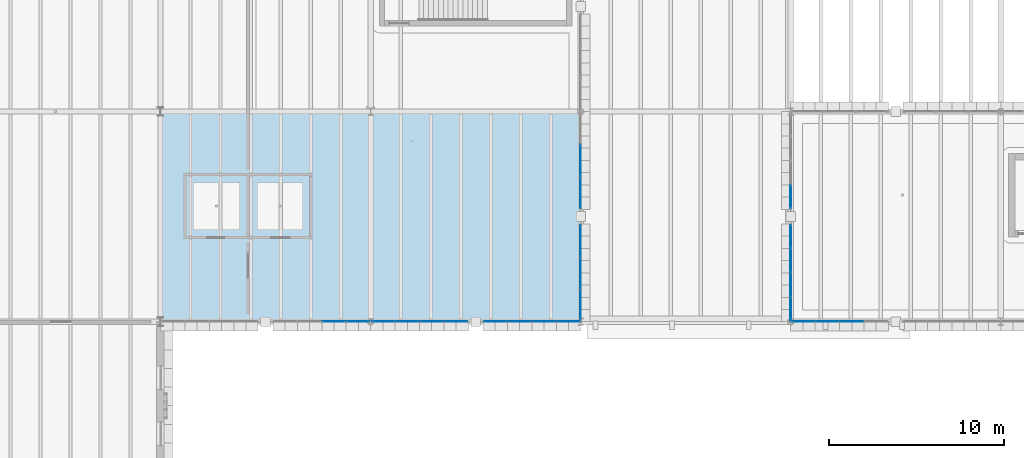
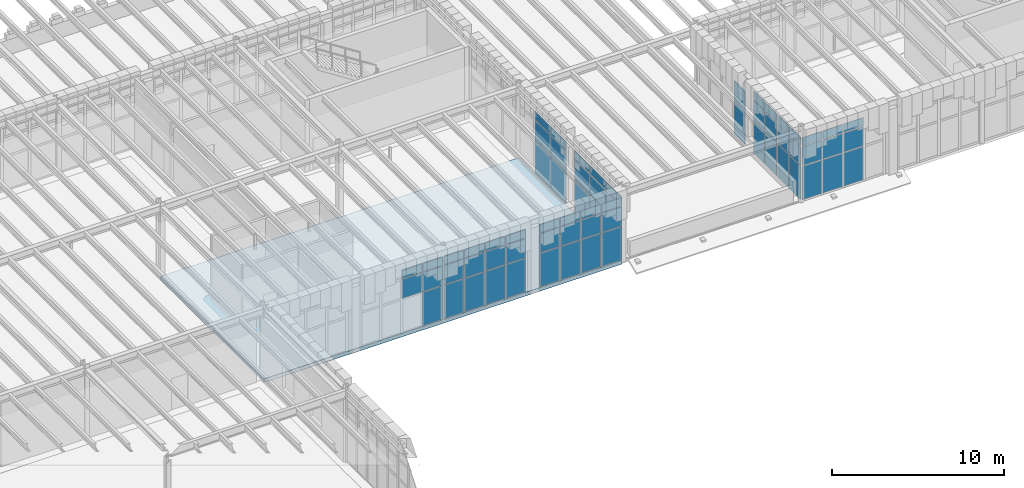
# One storey, part 47 of 100: 67 plates, 1 slab, 8 elements without a shape of their own.
"""IFC4 building model written with IfcOpenShell, lengths in metres."""

from ifc_helpers import new_model, si_unit, direction, frame, origin, origin_2d, place, context, subcontext, project, spatial, polyline, rectangle, outline, extrude, material, layer, layer_set, type_object, element, aggregate, save


model = new_model("IFC4")

# Units and contexts
model_context = context("Model", 3, precision=1e-05, world=origin(), true_north=direction((0.0, 1.0)))
body_context = subcontext(model_context, "Body", "Model", "MODEL_VIEW")
ifc_project = project(units=[si_unit("LENGTHUNIT", "METRE"), si_unit("AREAUNIT", "SQUARE_METRE"), si_unit("VOLUMEUNIT", "CUBIC_METRE"), si_unit("PLANEANGLEUNIT", "RADIAN"), si_unit("MASSUNIT", "GRAM", prefix="KILO")], contexts=[model_context])

# Site, building, storey
site_placement = place(None, origin())
site = spatial("IfcSite", under=ifc_project, at=site_placement, CompositionType="ELEMENT")
building_placement = place(site_placement, origin())
building = spatial("IfcBuilding", under=site, at=building_placement, Name="Zlatogorsky Bluff Art Gallery", CompositionType="ELEMENT")
storey_placement = place(building_placement, frame((0.0, 0.0, 5.39990234375)))
storey = spatial("IfcBuildingStorey", under=building, at=storey_placement, Name="L01", CompositionType="ELEMENT", Elevation=5.39990234375)

# Curtain wall, plates
ifc_material_1 = material(Name="Anodised Bronze Aluminium and Low-Iron Triple Glazing", Category="aluminium")
ifc_layer_1 = layer(ifc_material_1, 0.199951171875)
ifc_layer_set_1 = layer_set([ifc_layer_1], Name="Curtain Wall CW-02")
curtain_wall_type_1 = type_object("IfcCurtainWallType", Name="Curtain Wall CW-02", PredefinedType="USERDEFINED", material=ifc_layer_set_1)
curtain_wall_1_placement = place(storey_placement, origin())
curtain_wall_1 = element("IfcCurtainWall", 1, at=curtain_wall_1_placement, inside=storey, type_object=curtain_wall_type_1, Name="Unitised curtain wall CW-02 L01 S 2.8-B", ObjectType="CURTAIN WALL", PredefinedType="USERDEFINED")
ifc_material_2 = material(Name="Low-Iron Laminated Triple Glazing", Category="glass")
ifc_layer_2 = layer(ifc_material_2, 0.035888671875)
ifc_layer_set_2 = layer_set([ifc_layer_2], Name="Glazed Curtain Panel CWP-01")
plate_type = type_object("IfcPlateType", Name="Glazed Curtain Panel CWP-01", PredefinedType="CURTAIN_PANEL", material=ifc_layer_set_2)
plate_1_placement = place(storey_placement, frame((33.907470703125, 84.0, 2.482666015625), z_axis=(0.0, 0.0, 1.0), x_axis=(1.0, 0.0, 0.0)))
plate_1 = element("IfcPlate", 2, at=plate_1_placement, type_object=plate_type, Name="CW-02 panel 3.2", PredefinedType="CURTAIN_PANEL", context=body_context, shape_type="SweptSolid", body=[
    extrude(rectangle(XDim=1.330078125, YDim=0.035888671875, at=origin_2d()), origin(), (0.0, 0.0, 1.0), 1.3349609375),
])
plate_2_placement = place(storey_placement, frame((33.907470703125, 84.0, 3.882568359375), z_axis=(0.0, 0.0, 1.0), x_axis=(1.0, 0.0, 0.0)))
plate_2 = element("IfcPlate", 3, at=plate_2_placement, type_object=plate_type, Name="CW-02 panel 3.3", PredefinedType="CURTAIN_PANEL", context=body_context, shape_type="SweptSolid", body=[
    extrude(rectangle(XDim=1.330078125, YDim=0.035888671875, at=origin_2d()), origin(), (0.0, 0.0, 1.0), 0.58251953125),
])
plate_3_placement = place(storey_placement, frame((35.2861328125, 84.0, 0.065185546875), z_axis=(0.0, 0.0, 1.0), x_axis=(1.0, 0.0, 0.0)))
plate_3 = element("IfcPlate", 4, at=plate_3_placement, type_object=plate_type, Name="CW-02 panel 4.1", PredefinedType="CURTAIN_PANEL", context=body_context, shape_type="SweptSolid", body=[
    extrude(rectangle(XDim=1.297607421875, YDim=0.035888671875, at=origin_2d()), origin(), (0.0, 0.0, 1.0), 2.3525390625),
])
plate_4_placement = place(storey_placement, frame((35.2861328125, 84.0, 2.482666015625), z_axis=(0.0, 0.0, 1.0), x_axis=(1.0, 0.0, 0.0)))
plate_4 = element("IfcPlate", 5, at=plate_4_placement, type_object=plate_type, Name="CW-02 panel 4.2", PredefinedType="CURTAIN_PANEL", context=body_context, shape_type="SweptSolid", body=[
    extrude(rectangle(XDim=1.297607421875, YDim=0.035888671875, at=origin_2d()), origin(), (0.0, 0.0, 1.0), 1.3349609375),
])
plate_5_placement = place(storey_placement, frame((35.2861328125, 84.0, 3.882568359375), z_axis=(0.0, 0.0, 1.0), x_axis=(1.0, 0.0, 0.0)))
plate_5 = element("IfcPlate", 6, at=plate_5_placement, type_object=plate_type, Name="CW-02 panel 4.3", PredefinedType="CURTAIN_PANEL", context=body_context, shape_type="SweptSolid", body=[
    extrude(rectangle(XDim=1.297607421875, YDim=0.035888671875, at=origin_2d()), origin(), (0.0, 0.0, 1.0), 0.58251953125),
])
aggregate(curtain_wall_1, [plate_1, plate_2, plate_3, plate_4, plate_5])

curtain_wall_2_placement = place(storey_placement, origin())
curtain_wall_2 = element("IfcCurtainWall", 7, at=curtain_wall_2_placement, inside=storey, type_object=curtain_wall_type_1, Name="Unitised curtain wall CW-02 L01 S 3.8-A", ObjectType="CURTAIN WALL", PredefinedType="USERDEFINED")
plate_6_placement = place(storey_placement, frame((36.7138671875, 84.0, 0.065185546875), z_axis=(0.0, 0.0, 1.0), x_axis=(1.0, 0.0, 0.0)))
plate_6 = element("IfcPlate", 8, at=plate_6_placement, type_object=plate_type, Name="CW-02 panel 1.1", PredefinedType="CURTAIN_PANEL", context=body_context, shape_type="SweptSolid", body=[
    extrude(rectangle(XDim=1.297607421875, YDim=0.035888671875, at=origin_2d()), origin(), (0.0, 0.0, 1.0), 2.3525390625),
])
plate_7_placement = place(storey_placement, frame((36.7138671875, 84.0, 2.482666015625), z_axis=(0.0, 0.0, 1.0), x_axis=(1.0, 0.0, 0.0)))
plate_7 = element("IfcPlate", 9, at=plate_7_placement, type_object=plate_type, Name="CW-02 panel 1.2", PredefinedType="CURTAIN_PANEL", context=body_context, shape_type="SweptSolid", body=[
    extrude(rectangle(XDim=1.297607421875, YDim=0.035888671875, at=origin_2d()), origin(), (0.0, 0.0, 1.0), 1.3349609375),
])
plate_8_placement = place(storey_placement, frame((36.7138671875, 84.0, 3.882568359375), z_axis=(0.0, 0.0, 1.0), x_axis=(1.0, 0.0, 0.0)))
plate_8 = element("IfcPlate", 10, at=plate_8_placement, type_object=plate_type, Name="CW-02 panel 1.3", PredefinedType="CURTAIN_PANEL", context=body_context, shape_type="SweptSolid", body=[
    extrude(rectangle(XDim=1.297607421875, YDim=0.035888671875, at=origin_2d()), origin(), (0.0, 0.0, 1.0), 0.58251953125),
])
plate_9_placement = place(storey_placement, frame((38.092529296875, 84.0, 0.065185546875), z_axis=(0.0, 0.0, 1.0), x_axis=(1.0, 0.0, 0.0)))
plate_9 = element("IfcPlate", 11, at=plate_9_placement, type_object=plate_type, Name="CW-02 panel 2.1", PredefinedType="CURTAIN_PANEL", context=body_context, shape_type="SweptSolid", body=[
    extrude(rectangle(XDim=1.330078125, YDim=0.035888671875, at=origin_2d()), origin(), (0.0, 0.0, 1.0), 2.3525390625),
])
plate_10_placement = place(storey_placement, frame((38.092529296875, 84.0, 2.482666015625), z_axis=(0.0, 0.0, 1.0), x_axis=(1.0, 0.0, 0.0)))
plate_10 = element("IfcPlate", 12, at=plate_10_placement, type_object=plate_type, Name="CW-02 panel 2.2", PredefinedType="CURTAIN_PANEL", context=body_context, shape_type="SweptSolid", body=[
    extrude(rectangle(XDim=1.330078125, YDim=0.035888671875, at=origin_2d()), origin(), (0.0, 0.0, 1.0), 1.3349609375),
])
plate_11_placement = place(storey_placement, frame((38.092529296875, 84.0, 3.882568359375), z_axis=(0.0, 0.0, 1.0), x_axis=(1.0, 0.0, 0.0)))
plate_11 = element("IfcPlate", 13, at=plate_11_placement, type_object=plate_type, Name="CW-02 panel 2.3", PredefinedType="CURTAIN_PANEL", context=body_context, shape_type="SweptSolid", body=[
    extrude(rectangle(XDim=1.330078125, YDim=0.035888671875, at=origin_2d()), origin(), (0.0, 0.0, 1.0), 0.58251953125),
])
plate_12_placement = place(storey_placement, frame((39.487548828125, 84.0, 0.065185546875), z_axis=(0.0, 0.0, 1.0), x_axis=(1.0, 0.0, 0.0)))
plate_12 = element("IfcPlate", 14, at=plate_12_placement, type_object=plate_type, Name="CW-02 panel 3.1", PredefinedType="CURTAIN_PANEL", context=body_context, shape_type="SweptSolid", body=[
    extrude(rectangle(XDim=1.330078125, YDim=0.035888671875, at=origin_2d()), origin(), (0.0, 0.0, 1.0), 2.3525390625),
])
plate_13_placement = place(storey_placement, frame((39.487548828125, 84.0, 2.482666015625), z_axis=(0.0, 0.0, 1.0), x_axis=(1.0, 0.0, 0.0)))
plate_13 = element("IfcPlate", 15, at=plate_13_placement, type_object=plate_type, Name="CW-02 panel 3.2", PredefinedType="CURTAIN_PANEL", context=body_context, shape_type="SweptSolid", body=[
    extrude(rectangle(XDim=1.330078125, YDim=0.035888671875, at=origin_2d()), origin(), (0.0, 0.0, 1.0), 1.3349609375),
])
plate_14_placement = place(storey_placement, frame((39.487548828125, 84.0, 3.882568359375), z_axis=(0.0, 0.0, 1.0), x_axis=(1.0, 0.0, 0.0)))
plate_14 = element("IfcPlate", 16, at=plate_14_placement, type_object=plate_type, Name="CW-02 panel 3.3", PredefinedType="CURTAIN_PANEL", context=body_context, shape_type="SweptSolid", body=[
    extrude(rectangle(XDim=1.330078125, YDim=0.035888671875, at=origin_2d()), origin(), (0.0, 0.0, 1.0), 0.58251953125),
])
plate_15_placement = place(storey_placement, frame((40.8662109375, 84.0, 0.065185546875), z_axis=(0.0, 0.0, 1.0), x_axis=(1.0, 0.0, 0.0)))
plate_15 = element("IfcPlate", 17, at=plate_15_placement, type_object=plate_type, Name="CW-02 panel 4.1", PredefinedType="CURTAIN_PANEL", context=body_context, shape_type="SweptSolid", body=[
    extrude(rectangle(XDim=1.297607421875, YDim=0.035888671875, at=origin_2d()), origin(), (0.0, 0.0, 1.0), 2.3525390625),
])
plate_16_placement = place(storey_placement, frame((40.8662109375, 84.0, 2.482666015625), z_axis=(0.0, 0.0, 1.0), x_axis=(1.0, 0.0, 0.0)))
plate_16 = element("IfcPlate", 18, at=plate_16_placement, type_object=plate_type, Name="CW-02 panel 4.2", PredefinedType="CURTAIN_PANEL", context=body_context, shape_type="SweptSolid", body=[
    extrude(rectangle(XDim=1.297607421875, YDim=0.035888671875, at=origin_2d()), origin(), (0.0, 0.0, 1.0), 1.3349609375),
])
plate_17_placement = place(storey_placement, frame((40.8662109375, 84.0, 3.882568359375), z_axis=(0.0, 0.0, 1.0), x_axis=(1.0, 0.0, 0.0)))
plate_17 = element("IfcPlate", 19, at=plate_17_placement, type_object=plate_type, Name="CW-02 panel 4.3", PredefinedType="CURTAIN_PANEL", context=body_context, shape_type="SweptSolid", body=[
    extrude(rectangle(XDim=1.297607421875, YDim=0.035888671875, at=origin_2d()), origin(), (0.0, 0.0, 1.0), 0.58251953125),
])
aggregate(curtain_wall_2, [plate_6, plate_7, plate_8, plate_9, plate_10, plate_11, plate_12, plate_13, plate_14, plate_15, plate_16, plate_17])

curtain_wall_3_placement = place(storey_placement, origin())
curtain_wall_3 = element("IfcCurtainWall", 20, at=curtain_wall_3_placement, inside=storey, type_object=curtain_wall_type_1, Name="Unitised curtain wall CW-02 L01 S 3.8-B", ObjectType="CURTAIN WALL", PredefinedType="USERDEFINED")
plate_18_placement = place(storey_placement, frame((43.1337890625, 84.0, 0.065185546875), z_axis=(0.0, 0.0, 1.0), x_axis=(1.0, 0.0, 0.0)))
plate_18 = element("IfcPlate", 21, at=plate_18_placement, type_object=plate_type, Name="CW-02 panel 1.1", PredefinedType="CURTAIN_PANEL", context=body_context, shape_type="SweptSolid", body=[
    extrude(rectangle(XDim=1.297607421875, YDim=0.035888671875, at=origin_2d()), origin(), (0.0, 0.0, 1.0), 2.3525390625),
])
plate_19_placement = place(storey_placement, frame((43.1337890625, 84.0, 2.482666015625), z_axis=(0.0, 0.0, 1.0), x_axis=(1.0, 0.0, 0.0)))
plate_19 = element("IfcPlate", 22, at=plate_19_placement, type_object=plate_type, Name="CW-02 panel 1.2", PredefinedType="CURTAIN_PANEL", context=body_context, shape_type="SweptSolid", body=[
    extrude(rectangle(XDim=1.297607421875, YDim=0.035888671875, at=origin_2d()), origin(), (0.0, 0.0, 1.0), 1.3349609375),
])
plate_20_placement = place(storey_placement, frame((43.1337890625, 84.0, 3.882568359375), z_axis=(0.0, 0.0, 1.0), x_axis=(1.0, 0.0, 0.0)))
plate_20 = element("IfcPlate", 23, at=plate_20_placement, type_object=plate_type, Name="CW-02 panel 1.3", PredefinedType="CURTAIN_PANEL", context=body_context, shape_type="SweptSolid", body=[
    extrude(rectangle(XDim=1.297607421875, YDim=0.035888671875, at=origin_2d()), origin(), (0.0, 0.0, 1.0), 0.58251953125),
])
plate_21_placement = place(storey_placement, frame((44.512451171875, 84.0, 0.065185546875), z_axis=(0.0, 0.0, 1.0), x_axis=(1.0, 0.0, 0.0)))
plate_21 = element("IfcPlate", 24, at=plate_21_placement, type_object=plate_type, Name="CW-02 panel 2.1", PredefinedType="CURTAIN_PANEL", context=body_context, shape_type="SweptSolid", body=[
    extrude(rectangle(XDim=1.330078125, YDim=0.035888671875, at=origin_2d()), origin(), (0.0, 0.0, 1.0), 2.3525390625),
])
plate_22_placement = place(storey_placement, frame((44.512451171875, 84.0, 2.482666015625), z_axis=(0.0, 0.0, 1.0), x_axis=(1.0, 0.0, 0.0)))
plate_22 = element("IfcPlate", 25, at=plate_22_placement, type_object=plate_type, Name="CW-02 panel 2.2", PredefinedType="CURTAIN_PANEL", context=body_context, shape_type="SweptSolid", body=[
    extrude(rectangle(XDim=1.330078125, YDim=0.035888671875, at=origin_2d()), origin(), (0.0, 0.0, 1.0), 1.3349609375),
])
plate_23_placement = place(storey_placement, frame((44.512451171875, 84.0, 3.882568359375), z_axis=(0.0, 0.0, 1.0), x_axis=(1.0, 0.0, 0.0)))
plate_23 = element("IfcPlate", 26, at=plate_23_placement, type_object=plate_type, Name="CW-02 panel 2.3", PredefinedType="CURTAIN_PANEL", context=body_context, shape_type="SweptSolid", body=[
    extrude(rectangle(XDim=1.330078125, YDim=0.035888671875, at=origin_2d()), origin(), (0.0, 0.0, 1.0), 0.58251953125),
])
plate_24_placement = place(storey_placement, frame((45.907470703125, 84.0, 0.065185546875), z_axis=(0.0, 0.0, 1.0), x_axis=(1.0, 0.0, 0.0)))
plate_24 = element("IfcPlate", 27, at=plate_24_placement, type_object=plate_type, Name="CW-02 panel 3.1", PredefinedType="CURTAIN_PANEL", context=body_context, shape_type="SweptSolid", body=[
    extrude(rectangle(XDim=1.330078125, YDim=0.035888671875, at=origin_2d()), origin(), (0.0, 0.0, 1.0), 2.3525390625),
])
plate_25_placement = place(storey_placement, frame((45.907470703125, 84.0, 2.482666015625), z_axis=(0.0, 0.0, 1.0), x_axis=(1.0, 0.0, 0.0)))
plate_25 = element("IfcPlate", 28, at=plate_25_placement, type_object=plate_type, Name="CW-02 panel 3.2", PredefinedType="CURTAIN_PANEL", context=body_context, shape_type="SweptSolid", body=[
    extrude(rectangle(XDim=1.330078125, YDim=0.035888671875, at=origin_2d()), origin(), (0.0, 0.0, 1.0), 1.3349609375),
])
plate_26_placement = place(storey_placement, frame((45.907470703125, 84.0, 3.882568359375), z_axis=(0.0, 0.0, 1.0), x_axis=(1.0, 0.0, 0.0)))
plate_26 = element("IfcPlate", 29, at=plate_26_placement, type_object=plate_type, Name="CW-02 panel 3.3", PredefinedType="CURTAIN_PANEL", context=body_context, shape_type="SweptSolid", body=[
    extrude(rectangle(XDim=1.330078125, YDim=0.035888671875, at=origin_2d()), origin(), (0.0, 0.0, 1.0), 0.58251953125),
])
plate_27_placement = place(storey_placement, frame((47.2861328125, 84.0, 0.065185546875), z_axis=(0.0, 0.0, 1.0), x_axis=(1.0, 0.0, 0.0)))
plate_27 = element("IfcPlate", 30, at=plate_27_placement, type_object=plate_type, Name="CW-02 panel 4.1", PredefinedType="CURTAIN_PANEL", context=body_context, shape_type="SweptSolid", body=[
    extrude(rectangle(XDim=1.297607421875, YDim=0.035888671875, at=origin_2d()), origin(), (0.0, 0.0, 1.0), 2.3525390625),
])
plate_28_placement = place(storey_placement, frame((47.2861328125, 84.0, 2.482666015625), z_axis=(0.0, 0.0, 1.0), x_axis=(1.0, 0.0, 0.0)))
plate_28 = element("IfcPlate", 31, at=plate_28_placement, type_object=plate_type, Name="CW-02 panel 4.2", PredefinedType="CURTAIN_PANEL", context=body_context, shape_type="SweptSolid", body=[
    extrude(rectangle(XDim=1.297607421875, YDim=0.035888671875, at=origin_2d()), origin(), (0.0, 0.0, 1.0), 1.3349609375),
])
plate_29_placement = place(storey_placement, frame((47.2861328125, 84.0, 3.882568359375), z_axis=(0.0, 0.0, 1.0), x_axis=(1.0, 0.0, 0.0)))
plate_29 = element("IfcPlate", 32, at=plate_29_placement, type_object=plate_type, Name="CW-02 panel 4.3", PredefinedType="CURTAIN_PANEL", context=body_context, shape_type="SweptSolid", body=[
    extrude(rectangle(XDim=1.297607421875, YDim=0.035888671875, at=origin_2d()), origin(), (0.0, 0.0, 1.0), 0.58251953125),
])
aggregate(curtain_wall_3, [plate_18, plate_19, plate_20, plate_21, plate_22, plate_23, plate_24, plate_25, plate_26, plate_27, plate_28, plate_29])

ifc_layer_3 = layer(ifc_material_1, 0.219970703125)
ifc_layer_set_3 = layer_set([ifc_layer_3], Name="Curtain Wall CW-04")
curtain_wall_type_2 = type_object("IfcCurtainWallType", Name="Curtain Wall CW-04", PredefinedType="USERDEFINED", material=ifc_layer_set_3)
curtain_wall_4_placement = place(storey_placement, origin())
curtain_wall_4 = element("IfcCurtainWall", 33, at=curtain_wall_4_placement, inside=storey, type_object=curtain_wall_type_2, Name="Unitised curtain wall CW-04 L01 E 3.8-A", ObjectType="CURTAIN WALL", PredefinedType="USERDEFINED")
plate_30_placement = place(storey_placement, frame((48.0, 84.9462890625, 0.065185546875), z_axis=(0.0, 0.0, 1.0), x_axis=(0.0, 1.0, 0.0)))
plate_30 = element("IfcPlate", 34, at=plate_30_placement, type_object=plate_type, Name="CW-04 panel 1.1", PredefinedType="CURTAIN_PANEL", context=body_context, shape_type="SweptSolid", body=[
    extrude(rectangle(XDim=1.762451171875, YDim=0.035888671875, at=origin_2d()), origin(), (0.0, 0.0, 1.0), 2.3525390625),
])
plate_31_placement = place(storey_placement, frame((48.0, 84.9462890625, 2.482666015625), z_axis=(0.0, 0.0, 1.0), x_axis=(0.0, 1.0, 0.0)))
plate_31 = element("IfcPlate", 35, at=plate_31_placement, type_object=plate_type, Name="CW-04 panel 1.2", PredefinedType="CURTAIN_PANEL", context=body_context, shape_type="SweptSolid", body=[
    extrude(rectangle(XDim=1.762451171875, YDim=0.035888671875, at=origin_2d()), origin(), (0.0, 0.0, 1.0), 1.3349609375),
])
plate_32_placement = place(storey_placement, frame((48.0, 84.9462890625, 3.882568359375), z_axis=(0.0, 0.0, 1.0), x_axis=(0.0, 1.0, 0.0)))
plate_32 = element("IfcPlate", 36, at=plate_32_placement, type_object=plate_type, Name="CW-04 panel 1.3", PredefinedType="CURTAIN_PANEL", context=body_context, shape_type="SweptSolid", body=[
    extrude(rectangle(XDim=1.762451171875, YDim=0.035888671875, at=origin_2d()), origin(), (0.0, 0.0, 1.0), 0.58251953125),
])
plate_33_placement = place(storey_placement, frame((48.0, 86.7900390625, 0.065185546875), z_axis=(0.0, 0.0, 1.0), x_axis=(0.0, 1.0, 0.0)))
plate_33 = element("IfcPlate", 37, at=plate_33_placement, type_object=plate_type, Name="CW-04 panel 2.1", PredefinedType="CURTAIN_PANEL", context=body_context, shape_type="SweptSolid", body=[
    extrude(rectangle(XDim=1.794921875, YDim=0.035888671875, at=origin_2d()), origin(), (0.0, 0.0, 1.0), 2.3525390625),
])
plate_34_placement = place(storey_placement, frame((48.0, 86.7900390625, 2.482666015625), z_axis=(0.0, 0.0, 1.0), x_axis=(0.0, 1.0, 0.0)))
plate_34 = element("IfcPlate", 38, at=plate_34_placement, type_object=plate_type, Name="CW-04 panel 2.2", PredefinedType="CURTAIN_PANEL", context=body_context, shape_type="SweptSolid", body=[
    extrude(rectangle(XDim=1.794921875, YDim=0.035888671875, at=origin_2d()), origin(), (0.0, 0.0, 1.0), 1.3349609375),
])
plate_35_placement = place(storey_placement, frame((48.0, 86.7900390625, 3.882568359375), z_axis=(0.0, 0.0, 1.0), x_axis=(0.0, 1.0, 0.0)))
plate_35 = element("IfcPlate", 39, at=plate_35_placement, type_object=plate_type, Name="CW-04 panel 2.3", PredefinedType="CURTAIN_PANEL", context=body_context, shape_type="SweptSolid", body=[
    extrude(rectangle(XDim=1.794921875, YDim=0.035888671875, at=origin_2d()), origin(), (0.0, 0.0, 1.0), 0.58251953125),
])
plate_36_placement = place(storey_placement, frame((48.0, 88.6337890625, 0.065185546875), z_axis=(0.0, 0.0, 1.0), x_axis=(0.0, 1.0, 0.0)))
plate_36 = element("IfcPlate", 40, at=plate_36_placement, type_object=plate_type, Name="CW-04 panel 3.1", PredefinedType="CURTAIN_PANEL", context=body_context, shape_type="SweptSolid", body=[
    extrude(rectangle(XDim=1.762451171875, YDim=0.035888671875, at=origin_2d()), origin(), (0.0, 0.0, 1.0), 2.3525390625),
])
plate_37_placement = place(storey_placement, frame((48.0, 88.6337890625, 2.482666015625), z_axis=(0.0, 0.0, 1.0), x_axis=(0.0, 1.0, 0.0)))
plate_37 = element("IfcPlate", 41, at=plate_37_placement, type_object=plate_type, Name="CW-04 panel 3.2", PredefinedType="CURTAIN_PANEL", context=body_context, shape_type="SweptSolid", body=[
    extrude(rectangle(XDim=1.762451171875, YDim=0.035888671875, at=origin_2d()), origin(), (0.0, 0.0, 1.0), 1.3349609375),
])
plate_38_placement = place(storey_placement, frame((48.0, 88.6337890625, 3.882568359375), z_axis=(0.0, 0.0, 1.0), x_axis=(0.0, 1.0, 0.0)))
plate_38 = element("IfcPlate", 42, at=plate_38_placement, type_object=plate_type, Name="CW-04 panel 3.3", PredefinedType="CURTAIN_PANEL", context=body_context, shape_type="SweptSolid", body=[
    extrude(rectangle(XDim=1.762451171875, YDim=0.035888671875, at=origin_2d()), origin(), (0.0, 0.0, 1.0), 0.58251953125),
])
aggregate(curtain_wall_4, [plate_30, plate_31, plate_32, plate_33, plate_34, plate_35, plate_36, plate_37, plate_38])

curtain_wall_5_placement = place(storey_placement, origin())
curtain_wall_5 = element("IfcCurtainWall", 43, at=curtain_wall_5_placement, inside=storey, type_object=curtain_wall_type_2, Name="Unitised curtain wall CW-04 L01 E 3.8-B", ObjectType="CURTAIN WALL", PredefinedType="USERDEFINED")
plate_39_placement = place(storey_placement, frame((48.0, 91.3662109375, 0.065185546875), z_axis=(0.0, 0.0, 1.0), x_axis=(0.0, 1.0, 0.0)))
plate_39 = element("IfcPlate", 44, at=plate_39_placement, type_object=plate_type, Name="CW-04 panel 1.1", PredefinedType="CURTAIN_PANEL", context=body_context, shape_type="SweptSolid", body=[
    extrude(rectangle(XDim=1.762451171875, YDim=0.035888671875, at=origin_2d()), origin(), (0.0, 0.0, 1.0), 2.3525390625),
])
plate_40_placement = place(storey_placement, frame((48.0, 91.3662109375, 2.482666015625), z_axis=(0.0, 0.0, 1.0), x_axis=(0.0, 1.0, 0.0)))
plate_40 = element("IfcPlate", 45, at=plate_40_placement, type_object=plate_type, Name="CW-04 panel 1.2", PredefinedType="CURTAIN_PANEL", context=body_context, shape_type="SweptSolid", body=[
    extrude(rectangle(XDim=1.762451171875, YDim=0.035888671875, at=origin_2d()), origin(), (0.0, 0.0, 1.0), 1.3349609375),
])
plate_41_placement = place(storey_placement, frame((48.0, 91.3662109375, 3.882568359375), z_axis=(0.0, 0.0, 1.0), x_axis=(0.0, 1.0, 0.0)))
plate_41 = element("IfcPlate", 46, at=plate_41_placement, type_object=plate_type, Name="CW-04 panel 1.3", PredefinedType="CURTAIN_PANEL", context=body_context, shape_type="SweptSolid", body=[
    extrude(rectangle(XDim=1.762451171875, YDim=0.035888671875, at=origin_2d()), origin(), (0.0, 0.0, 1.0), 0.58251953125),
])
plate_42_placement = place(storey_placement, frame((48.0, 93.2099609375, 0.065185546875), z_axis=(0.0, 0.0, 1.0), x_axis=(0.0, 1.0, 0.0)))
plate_42 = element("IfcPlate", 47, at=plate_42_placement, type_object=plate_type, Name="CW-04 panel 2.1", PredefinedType="CURTAIN_PANEL", context=body_context, shape_type="SweptSolid", body=[
    extrude(rectangle(XDim=1.794921875, YDim=0.035888671875, at=origin_2d()), origin(), (0.0, 0.0, 1.0), 2.3525390625),
])
plate_43_placement = place(storey_placement, frame((48.0, 93.2099609375, 2.482666015625), z_axis=(0.0, 0.0, 1.0), x_axis=(0.0, 1.0, 0.0)))
plate_43 = element("IfcPlate", 48, at=plate_43_placement, type_object=plate_type, Name="CW-04 panel 2.2", PredefinedType="CURTAIN_PANEL", context=body_context, shape_type="SweptSolid", body=[
    extrude(rectangle(XDim=1.794921875, YDim=0.035888671875, at=origin_2d()), origin(), (0.0, 0.0, 1.0), 1.3349609375),
])
plate_44_placement = place(storey_placement, frame((48.0, 93.2099609375, 3.882568359375), z_axis=(0.0, 0.0, 1.0), x_axis=(0.0, 1.0, 0.0)))
plate_44 = element("IfcPlate", 49, at=plate_44_placement, type_object=plate_type, Name="CW-04 panel 2.3", PredefinedType="CURTAIN_PANEL", context=body_context, shape_type="SweptSolid", body=[
    extrude(rectangle(XDim=1.794921875, YDim=0.035888671875, at=origin_2d()), origin(), (0.0, 0.0, 1.0), 0.58251953125),
])
aggregate(curtain_wall_5, [plate_39, plate_40, plate_41, plate_42, plate_43, plate_44])

curtain_wall_6_placement = place(storey_placement, origin())
curtain_wall_6 = element("IfcCurtainWall", 50, at=curtain_wall_6_placement, inside=storey, type_object=curtain_wall_type_1, Name="Unitised curtain wall CW-02 L01 S 5.8-A", ObjectType="CURTAIN WALL", PredefinedType="USERDEFINED")
plate_45_placement = place(storey_placement, frame((60.7138671875, 84.0, 0.065185546875), z_axis=(0.0, 0.0, 1.0), x_axis=(1.0, 0.0, 0.0)))
plate_45 = element("IfcPlate", 51, at=plate_45_placement, type_object=plate_type, Name="CW-02 panel 1.1", PredefinedType="CURTAIN_PANEL", context=body_context, shape_type="SweptSolid", body=[
    extrude(rectangle(XDim=1.297607421875, YDim=0.035888671875, at=origin_2d()), origin(), (0.0, 0.0, 1.0), 2.3525390625),
])
plate_46_placement = place(storey_placement, frame((60.7138671875, 84.0, 2.482666015625), z_axis=(0.0, 0.0, 1.0), x_axis=(1.0, 0.0, 0.0)))
plate_46 = element("IfcPlate", 52, at=plate_46_placement, type_object=plate_type, Name="CW-02 panel 1.2", PredefinedType="CURTAIN_PANEL", context=body_context, shape_type="SweptSolid", body=[
    extrude(rectangle(XDim=1.297607421875, YDim=0.035888671875, at=origin_2d()), origin(), (0.0, 0.0, 1.0), 1.3349609375),
])
plate_47_placement = place(storey_placement, frame((60.7138671875, 84.0, 3.882568359375), z_axis=(0.0, 0.0, 1.0), x_axis=(1.0, 0.0, 0.0)))
plate_47 = element("IfcPlate", 53, at=plate_47_placement, type_object=plate_type, Name="CW-02 panel 1.3", PredefinedType="CURTAIN_PANEL", context=body_context, shape_type="SweptSolid", body=[
    extrude(rectangle(XDim=1.297607421875, YDim=0.035888671875, at=origin_2d()), origin(), (0.0, 0.0, 1.0), 0.58251953125),
])
plate_48_placement = place(storey_placement, frame((62.092529296875, 84.0, 0.065185546875), z_axis=(0.0, 0.0, 1.0), x_axis=(1.0, 0.0, 0.0)))
plate_48 = element("IfcPlate", 54, at=plate_48_placement, type_object=plate_type, Name="CW-02 panel 2.1", PredefinedType="CURTAIN_PANEL", context=body_context, shape_type="SweptSolid", body=[
    extrude(rectangle(XDim=1.330078125, YDim=0.035888671875, at=origin_2d()), origin(), (0.0, 0.0, 1.0), 2.3525390625),
])
plate_49_placement = place(storey_placement, frame((62.092529296875, 84.0, 2.482666015625), z_axis=(0.0, 0.0, 1.0), x_axis=(1.0, 0.0, 0.0)))
plate_49 = element("IfcPlate", 55, at=plate_49_placement, type_object=plate_type, Name="CW-02 panel 2.2", PredefinedType="CURTAIN_PANEL", context=body_context, shape_type="SweptSolid", body=[
    extrude(rectangle(XDim=1.330078125, YDim=0.035888671875, at=origin_2d()), origin(), (0.0, 0.0, 1.0), 1.3349609375),
])
plate_50_placement = place(storey_placement, frame((62.092529296875, 84.0, 3.882568359375), z_axis=(0.0, 0.0, 1.0), x_axis=(1.0, 0.0, 0.0)))
plate_50 = element("IfcPlate", 56, at=plate_50_placement, type_object=plate_type, Name="CW-02 panel 2.3", PredefinedType="CURTAIN_PANEL", context=body_context, shape_type="SweptSolid", body=[
    extrude(rectangle(XDim=1.330078125, YDim=0.035888671875, at=origin_2d()), origin(), (0.0, 0.0, 1.0), 0.58251953125),
])
plate_51_placement = place(storey_placement, frame((63.487548828125, 84.0, 0.065185546875), z_axis=(0.0, 0.0, 1.0), x_axis=(1.0, 0.0, 0.0)))
plate_51 = element("IfcPlate", 57, at=plate_51_placement, type_object=plate_type, Name="CW-02 panel 3.1", PredefinedType="CURTAIN_PANEL", context=body_context, shape_type="SweptSolid", body=[
    extrude(rectangle(XDim=1.330078125, YDim=0.035888671875, at=origin_2d()), origin(), (0.0, 0.0, 1.0), 2.3525390625),
])
plate_52_placement = place(storey_placement, frame((63.487548828125, 84.0, 2.482666015625), z_axis=(0.0, 0.0, 1.0), x_axis=(1.0, 0.0, 0.0)))
plate_52 = element("IfcPlate", 58, at=plate_52_placement, type_object=plate_type, Name="CW-02 panel 3.2", PredefinedType="CURTAIN_PANEL", context=body_context, shape_type="SweptSolid", body=[
    extrude(rectangle(XDim=1.330078125, YDim=0.035888671875, at=origin_2d()), origin(), (0.0, 0.0, 1.0), 1.3349609375),
])
plate_53_placement = place(storey_placement, frame((63.487548828125, 84.0, 3.882568359375), z_axis=(0.0, 0.0, 1.0), x_axis=(1.0, 0.0, 0.0)))
plate_53 = element("IfcPlate", 59, at=plate_53_placement, type_object=plate_type, Name="CW-02 panel 3.3", PredefinedType="CURTAIN_PANEL", context=body_context, shape_type="SweptSolid", body=[
    extrude(rectangle(XDim=1.330078125, YDim=0.035888671875, at=origin_2d()), origin(), (0.0, 0.0, 1.0), 0.58251953125),
])
aggregate(curtain_wall_6, [plate_45, plate_46, plate_47, plate_48, plate_49, plate_50, plate_51, plate_52, plate_53])

curtain_wall_7_placement = place(storey_placement, origin())
curtain_wall_7 = element("IfcCurtainWall", 60, at=curtain_wall_7_placement, inside=storey, type_object=curtain_wall_type_1, Name="Unitised curtain wall CW-02 L01 W 5.8-A", ObjectType="CURTAIN WALL", PredefinedType="USERDEFINED")
plate_54_placement = place(storey_placement, frame((60.0, 91.1337890625, 0.065185546875), z_axis=(0.0, 0.0, 1.0), x_axis=(0.0, -1.0, 0.0)))
plate_54 = element("IfcPlate", 61, at=plate_54_placement, type_object=plate_type, Name="CW-02 panel 4.1", PredefinedType="CURTAIN_PANEL", context=body_context, shape_type="SweptSolid", body=[
    extrude(rectangle(XDim=1.297607421875, YDim=0.035888671875, at=origin_2d()), origin(), (0.0, 0.0, 1.0), 2.3525390625),
])
plate_55_placement = place(storey_placement, frame((60.0, 91.1337890625, 2.482666015625), z_axis=(0.0, 0.0, 1.0), x_axis=(0.0, -1.0, 0.0)))
plate_55 = element("IfcPlate", 62, at=plate_55_placement, type_object=plate_type, Name="CW-02 panel 4.2", PredefinedType="CURTAIN_PANEL", context=body_context, shape_type="SweptSolid", body=[
    extrude(rectangle(XDim=1.297607421875, YDim=0.035888671875, at=origin_2d()), origin(), (0.0, 0.0, 1.0), 1.3349609375),
])
aggregate(curtain_wall_7, [plate_54, plate_55])

curtain_wall_8_placement = place(storey_placement, origin())
curtain_wall_8 = element("IfcCurtainWall", 63, at=curtain_wall_8_placement, inside=storey, type_object=curtain_wall_type_1, Name="Unitised curtain wall CW-02 L01 W 5.8-B", ObjectType="CURTAIN WALL", PredefinedType="USERDEFINED")
plate_56_placement = place(storey_placement, frame((60.0, 88.8662109375, 0.065185546875), z_axis=(0.0, 0.0, 1.0), x_axis=(0.0, -1.0, 0.0)))
plate_56 = element("IfcPlate", 64, at=plate_56_placement, type_object=plate_type, Name="CW-02 panel 1.1", PredefinedType="CURTAIN_PANEL", context=body_context, shape_type="SweptSolid", body=[
    extrude(rectangle(XDim=1.297607421875, YDim=0.035888671875, at=origin_2d()), origin(), (0.0, 0.0, 1.0), 2.3525390625),
])
plate_57_placement = place(storey_placement, frame((60.0, 88.8662109375, 2.482666015625), z_axis=(0.0, 0.0, 1.0), x_axis=(0.0, -1.0, 0.0)))
plate_57 = element("IfcPlate", 65, at=plate_57_placement, type_object=plate_type, Name="CW-02 panel 1.2", PredefinedType="CURTAIN_PANEL", context=body_context, shape_type="SweptSolid", body=[
    extrude(rectangle(XDim=1.297607421875, YDim=0.035888671875, at=origin_2d()), origin(), (0.0, 0.0, 1.0), 1.3349609375),
])
plate_58_placement = place(storey_placement, frame((60.0, 88.8662109375, 3.882568359375), z_axis=(0.0, 0.0, 1.0), x_axis=(0.0, -1.0, 0.0)))
plate_58 = element("IfcPlate", 66, at=plate_58_placement, type_object=plate_type, Name="CW-02 panel 1.3", PredefinedType="CURTAIN_PANEL", context=body_context, shape_type="SweptSolid", body=[
    extrude(rectangle(XDim=1.297607421875, YDim=0.035888671875, at=origin_2d()), origin(), (0.0, 0.0, 1.0), 0.58251953125),
])
plate_59_placement = place(storey_placement, frame((60.0, 87.487548828125, 0.065185546875), z_axis=(0.0, 0.0, 1.0), x_axis=(0.0, -1.0, 0.0)))
plate_59 = element("IfcPlate", 67, at=plate_59_placement, type_object=plate_type, Name="CW-02 panel 2.1", PredefinedType="CURTAIN_PANEL", context=body_context, shape_type="SweptSolid", body=[
    extrude(rectangle(XDim=1.330078125, YDim=0.035888671875, at=origin_2d()), origin(), (0.0, 0.0, 1.0), 2.3525390625),
])
plate_60_placement = place(storey_placement, frame((60.0, 87.487548828125, 2.482666015625), z_axis=(0.0, 0.0, 1.0), x_axis=(0.0, -1.0, 0.0)))
plate_60 = element("IfcPlate", 68, at=plate_60_placement, type_object=plate_type, Name="CW-02 panel 2.2", PredefinedType="CURTAIN_PANEL", context=body_context, shape_type="SweptSolid", body=[
    extrude(rectangle(XDim=1.330078125, YDim=0.035888671875, at=origin_2d()), origin(), (0.0, 0.0, 1.0), 1.3349609375),
])
plate_61_placement = place(storey_placement, frame((60.0, 87.487548828125, 3.882568359375), z_axis=(0.0, 0.0, 1.0), x_axis=(0.0, -1.0, 0.0)))
plate_61 = element("IfcPlate", 69, at=plate_61_placement, type_object=plate_type, Name="CW-02 panel 2.3", PredefinedType="CURTAIN_PANEL", context=body_context, shape_type="SweptSolid", body=[
    extrude(rectangle(XDim=1.330078125, YDim=0.035888671875, at=origin_2d()), origin(), (0.0, 0.0, 1.0), 0.58251953125),
])
plate_62_placement = place(storey_placement, frame((60.0, 86.092529296875, 0.065185546875), z_axis=(0.0, 0.0, 1.0), x_axis=(0.0, -1.0, 0.0)))
plate_62 = element("IfcPlate", 70, at=plate_62_placement, type_object=plate_type, Name="CW-02 panel 3.1", PredefinedType="CURTAIN_PANEL", context=body_context, shape_type="SweptSolid", body=[
    extrude(rectangle(XDim=1.330078125, YDim=0.035888671875, at=origin_2d()), origin(), (0.0, 0.0, 1.0), 2.3525390625),
])
plate_63_placement = place(storey_placement, frame((60.0, 86.092529296875, 2.482666015625), z_axis=(0.0, 0.0, 1.0), x_axis=(0.0, -1.0, 0.0)))
plate_63 = element("IfcPlate", 71, at=plate_63_placement, type_object=plate_type, Name="CW-02 panel 3.2", PredefinedType="CURTAIN_PANEL", context=body_context, shape_type="SweptSolid", body=[
    extrude(rectangle(XDim=1.330078125, YDim=0.035888671875, at=origin_2d()), origin(), (0.0, 0.0, 1.0), 1.3349609375),
])
plate_64_placement = place(storey_placement, frame((60.0, 86.092529296875, 3.882568359375), z_axis=(0.0, 0.0, 1.0), x_axis=(0.0, -1.0, 0.0)))
plate_64 = element("IfcPlate", 72, at=plate_64_placement, type_object=plate_type, Name="CW-02 panel 3.3", PredefinedType="CURTAIN_PANEL", context=body_context, shape_type="SweptSolid", body=[
    extrude(rectangle(XDim=1.330078125, YDim=0.035888671875, at=origin_2d()), origin(), (0.0, 0.0, 1.0), 0.58251953125),
])
plate_65_placement = place(storey_placement, frame((60.0, 84.7138671875, 0.065185546875), z_axis=(0.0, 0.0, 1.0), x_axis=(0.0, -1.0, 0.0)))
plate_65 = element("IfcPlate", 73, at=plate_65_placement, type_object=plate_type, Name="CW-02 panel 4.1", PredefinedType="CURTAIN_PANEL", context=body_context, shape_type="SweptSolid", body=[
    extrude(rectangle(XDim=1.297607421875, YDim=0.035888671875, at=origin_2d()), origin(), (0.0, 0.0, 1.0), 2.3525390625),
])
plate_66_placement = place(storey_placement, frame((60.0, 84.7138671875, 2.482666015625), z_axis=(0.0, 0.0, 1.0), x_axis=(0.0, -1.0, 0.0)))
plate_66 = element("IfcPlate", 74, at=plate_66_placement, type_object=plate_type, Name="CW-02 panel 4.2", PredefinedType="CURTAIN_PANEL", context=body_context, shape_type="SweptSolid", body=[
    extrude(rectangle(XDim=1.297607421875, YDim=0.035888671875, at=origin_2d()), origin(), (0.0, 0.0, 1.0), 1.3349609375),
])
plate_67_placement = place(storey_placement, frame((60.0, 84.7138671875, 3.882568359375), z_axis=(0.0, 0.0, 1.0), x_axis=(0.0, -1.0, 0.0)))
plate_67 = element("IfcPlate", 75, at=plate_67_placement, type_object=plate_type, Name="CW-02 panel 4.3", PredefinedType="CURTAIN_PANEL", context=body_context, shape_type="SweptSolid", body=[
    extrude(rectangle(XDim=1.297607421875, YDim=0.035888671875, at=origin_2d()), origin(), (0.0, 0.0, 1.0), 0.58251953125),
])
aggregate(curtain_wall_8, [plate_56, plate_57, plate_58, plate_59, plate_60, plate_61, plate_62, plate_63, plate_64, plate_65, plate_66, plate_67])

# Slab
ifc_material_3 = material(Name="Concrete C30/37", Category="concrete")
ifc_layer_4 = layer(ifc_material_3, 0.260009765625)
ifc_layer_set_4 = layer_set([ifc_layer_4], Name="Slab SL-01 260mm")
slab_type = type_object("IfcSlabType", Name="Slab SL-01 260mm", PredefinedType="FLOOR", material=ifc_layer_set_4)
slab_placement = place(storey_placement, frame((0.0, 0.0, -0.260009765625)))
element("IfcSlab", 76, at=slab_placement, inside=storey, type_object=slab_type, Name="L01 structural floor slab panel 07", PredefinedType="FLOOR", context=body_context, shape_type="SweptSolid", body=[
    extrude(outline(polyline([(24.0, 96.0), (36.0, 96.0), (48.0, 96.0), (48.0, 84.0), (36.0, 84.0), (24.0, 84.0), (24.0, 96.0)])), origin(), (0.0, 0.0, 1.0), 0.260009765625),
])

save(model, "model.ifc")
